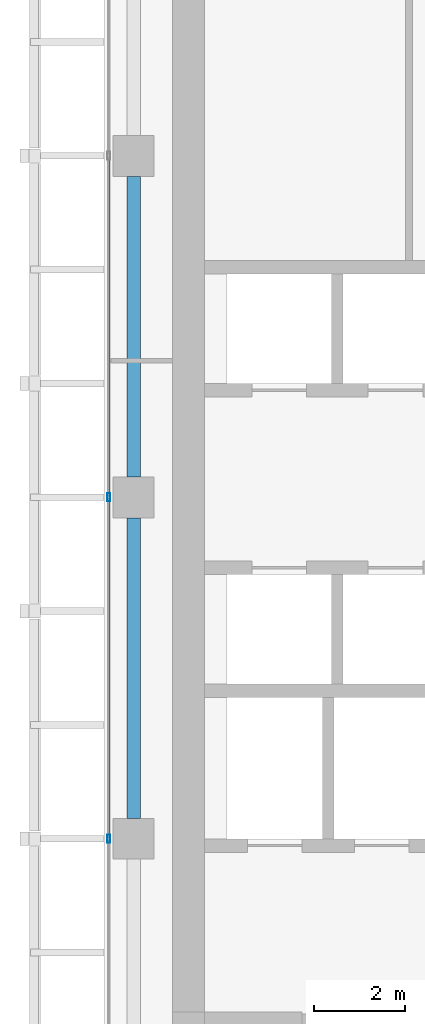
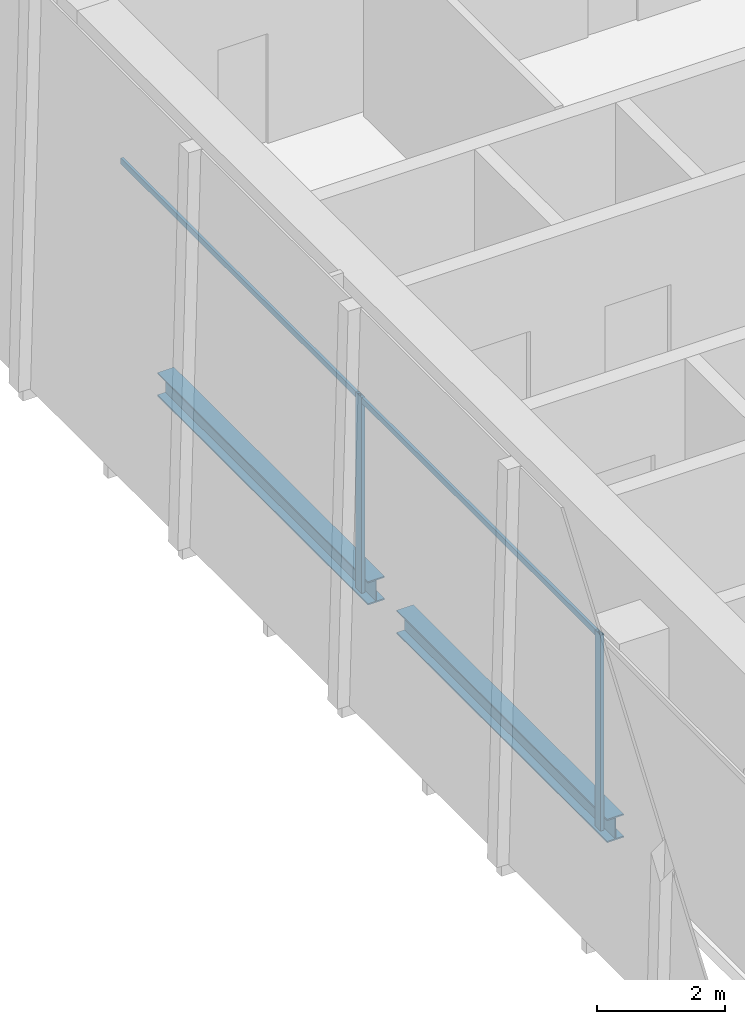
# One storey, part 6 of 35: 4 members, 2 beams, 1 element without a shape of its own.
"""IFC4 building model written with IfcOpenShell, lengths in metres."""

from ifc_helpers import new_model, si_unit, direction, frame, origin, origin_2d, place, context, subcontext, project, spatial, hollow_rectangle, i_section, extrude, source, transform, mapped, material, material_profile, profile_set, type_object, element, aggregate, save


model = new_model("IFC4")

# Units and contexts
model_context = context("Model", 3, precision=1e-05, world=origin(), true_north=direction((0.0, 1.0)))
body_context = subcontext(model_context, "Body", "Model", "MODEL_VIEW")
ifc_project = project(units=[si_unit("LENGTHUNIT", "METRE"), si_unit("AREAUNIT", "SQUARE_METRE"), si_unit("VOLUMEUNIT", "CUBIC_METRE"), si_unit("PLANEANGLEUNIT", "RADIAN"), si_unit("MASSUNIT", "GRAM", prefix="KILO")], contexts=[model_context])

# Site, building, storey
site_placement = place(None, origin())
site = spatial("IfcSite", under=ifc_project, at=site_placement, CompositionType="ELEMENT")
building_placement = place(site_placement, origin())
building = spatial("IfcBuilding", under=site, at=building_placement, Name="Khomas Fold Tower", CompositionType="ELEMENT")
storey_placement = place(building_placement, frame((0.0, 0.0, 258.199951171875)))
storey = spatial("IfcBuildingStorey", under=building, at=storey_placement, Name="L58", CompositionType="ELEMENT", Elevation=258.199951171875)

# Beams
ifc_material_1 = material(Name="Steel S355", Category="steel")
ifc_material_profile_1 = material_profile(ifc_material_1, i_section(OverallWidth=0.300048828125, OverallDepth=0.449951171875, WebThickness=0.013916015625, FlangeThickness=0.02587890625, at=origin_2d()), Name="HE 450 B")
ifc_profile_set_1 = profile_set([ifc_material_profile_1], Name="Steel S355")
beam_type = type_object("IfcBeamType", Name="HE 450 B spandrel SB4", PredefinedType="SPANDREL", material=ifc_profile_set_1)
shared_shape_1 = source(origin(), body_context, "Body", "SweptSolid", [
    extrude(i_section(OverallWidth=0.300048828125, OverallDepth=0.449951171875, WebThickness=0.013916015625, FlangeThickness=0.02587890625, at=origin_2d()), origin(), (0.0, 0.0, 1.0), 6.60009765625),
])
for number, where, z_axis, x_axis, name in (
    (1, (5.14990234375, 27.449951171875, -0.474853515625), (0.0, 1.0, 0.0), (-1.0, 0.0, 0.0), "SB4"),
    (2, (5.14990234375, 19.949951171875, -0.474853515625), (0.0, 1.0, 0.0), (-1.0, 0.0, 0.0), "SB4"),
):
    element("IfcBeam", number, at=place(storey_placement, frame(where, z_axis=z_axis, x_axis=x_axis)), inside=storey, type_object=beam_type, Name=name, PredefinedType="SPANDREL", context=body_context, shape_type="MappedRepresentation", body=[
        mapped(shared_shape_1, transform((0.0, 0.0, 0.0))),
    ])

# Curtain wall, members
ifc_material_2 = material(Name="Aluminium framed double glazing", Category="aluminium")
curtain_wall_type = type_object("IfcCurtainWallType", Name="SK-Unitised clear-glass wall, office floors CW2", PredefinedType="NOTDEFINED", material=ifc_material_2)
curtain_wall_placement = place(storey_placement, origin())
curtain_wall = element("IfcCurtainWall", 3, at=curtain_wall_placement, inside=storey, type_object=curtain_wall_type, Name="CW2 run L58 09-0", PredefinedType="NOTDEFINED")
ifc_material_3 = material(Name="Aluminium", Category="aluminium")
ifc_material_profile_2 = material_profile(ifc_material_3, hollow_rectangle(XDim=0.06005859375, YDim=0.179931640625, WallThickness=0.00390625, at=origin_2d()), Name="SK-Unitised clear-glass wall, office floors mullion CW2-M")
ifc_profile_set_2 = profile_set([ifc_material_profile_2], Name="Aluminium")
member_type_1 = type_object("IfcMemberType", Name="SK-Unitised clear-glass wall, office floors mullion CW2-M", PredefinedType="MULLION", material=ifc_profile_set_2)
shared_shape_2 = source(origin(), body_context, "Body", "SweptSolid", [
    extrude(hollow_rectangle(XDim=0.06005859375, YDim=0.179931640625, WallThickness=0.00390625, at=origin_2d()), origin(), (0.0, 0.0, 1.0), 3.75),
])
member_1_placement = place(storey_placement, frame((4.60009765625, 27.0, 0.0), z_axis=(0.0, 0.0, 1.0), x_axis=(1.0, 0.0, 0.0)))
member_1 = element("IfcMember", 4, at=member_1_placement, type_object=member_type_1, Name="CW2 mullion 4", PredefinedType="MULLION", context=body_context, shape_type="MappedRepresentation", body=[
    mapped(shared_shape_2, transform((0.0, 0.0, 0.0))),
])
member_2_placement = place(storey_placement, frame((4.60009765625, 19.5, 0.0), z_axis=(0.0, 0.0, 1.0), x_axis=(1.0, 0.0, 0.0)))
member_2 = element("IfcMember", 5, at=member_2_placement, type_object=member_type_1, Name="CW2 mullion 5", PredefinedType="MULLION", context=body_context, shape_type="MappedRepresentation", body=[
    mapped(shared_shape_2, transform((0.0, 0.0, 0.0))),
])
ifc_material_4 = material(Name="Aluminium", Category="aluminium")
ifc_material_profile_3 = material_profile(ifc_material_4, hollow_rectangle(XDim=0.050048828125, YDim=0.110107421875, WallThickness=0.00390625, at=origin_2d()), Name="SK-Unitised clear-glass wall, office floors transom CW2-T")
ifc_profile_set_3 = profile_set([ifc_material_profile_3], Name="Aluminium")
member_type_2 = type_object("IfcMemberType", Name="SK-Unitised clear-glass wall, office floors transom CW2-T", PredefinedType="USERDEFINED", material=ifc_profile_set_3)
shared_shape_3 = source(origin(), body_context, "Body", "SweptSolid", [
    extrude(hollow_rectangle(XDim=0.050048828125, YDim=0.110107421875, WallThickness=0.00390625, at=origin_2d()), origin(), (0.0, 0.0, 1.0), 7.43994140625),
])
member_3_placement = place(storey_placement, frame((4.60009765625, 34.469970703125, 3.695068359375), z_axis=(0.0, -1.0, 0.0), x_axis=(1.0, 0.0, 0.0)))
member_3 = element("IfcMember", 6, at=member_3_placement, type_object=member_type_2, Name="CW2 transom 3", ObjectType="TRANSOM", PredefinedType="USERDEFINED", context=body_context, shape_type="MappedRepresentation", body=[
    mapped(shared_shape_3, transform((0.0, 0.0, 0.0))),
])
member_4_placement = place(storey_placement, frame((4.60009765625, 26.969970703125, 3.695068359375), z_axis=(0.0, -1.0, 0.0), x_axis=(1.0, 0.0, 0.0)))
member_4 = element("IfcMember", 7, at=member_4_placement, type_object=member_type_2, Name="CW2 transom 4", ObjectType="TRANSOM", PredefinedType="USERDEFINED", context=body_context, shape_type="MappedRepresentation", body=[
    mapped(shared_shape_3, transform((0.0, 0.0, 0.0))),
])
aggregate(curtain_wall, [member_1, member_2, member_3, member_4])

save(model, "model.ifc")
